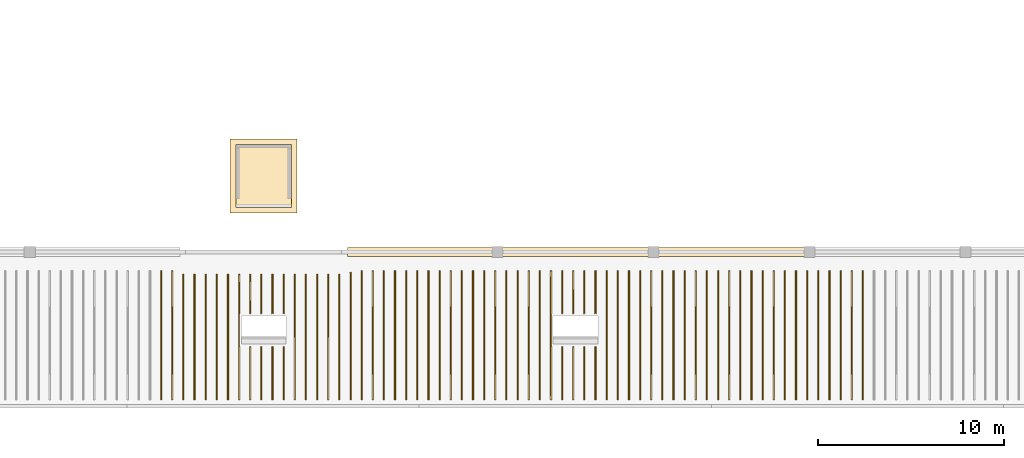
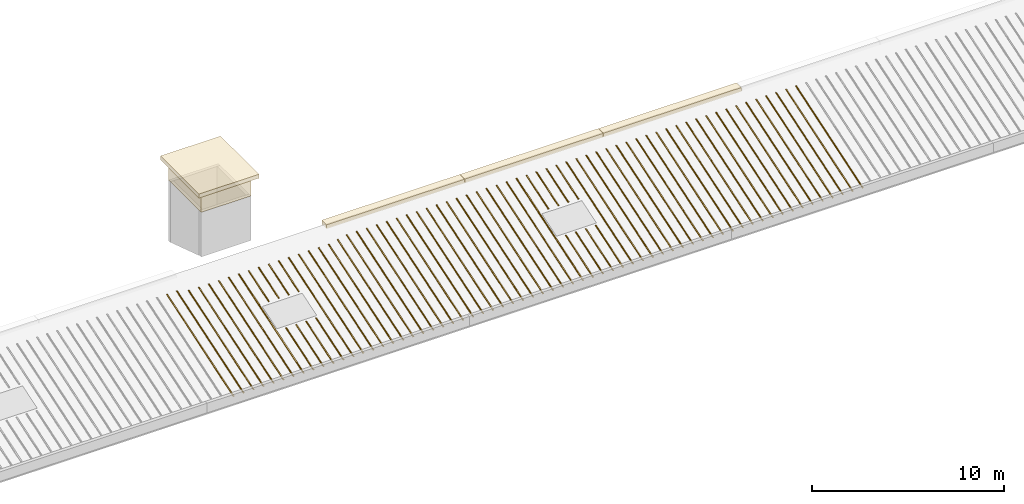
# One storey, part 73 of 91: 77 coverings.
"""IFC4 building model written with IfcOpenShell, lengths in metres."""

from ifc_helpers import new_model, si_unit, direction, frame, origin, origin_2d, place, context, subcontext, project, spatial, polyline, rectangle, outline, extrude, material, layer, layer_set, type_object, element, save


model = new_model("IFC4")

# Units and contexts
model_context = context("Model", 3, precision=1e-05, world=origin(), true_north=direction((0.0, 1.0)))
body_context = subcontext(model_context, "Body", "Model", "MODEL_VIEW")
ifc_project = project(units=[si_unit("LENGTHUNIT", "METRE"), si_unit("AREAUNIT", "SQUARE_METRE"), si_unit("VOLUMEUNIT", "CUBIC_METRE"), si_unit("PLANEANGLEUNIT", "RADIAN"), si_unit("MASSUNIT", "GRAM", prefix="KILO")], contexts=[model_context])

# Site, building, storey
site_placement = place(None, origin())
site = spatial("IfcSite", under=ifc_project, at=site_placement, CompositionType="ELEMENT")
building_placement = place(site_placement, origin())
building = spatial("IfcBuilding", under=site, at=building_placement, Name="Almond Square Museum", CompositionType="ELEMENT")
storey_placement = place(building_placement, frame((0.0, 0.0, 30.0)))
storey = spatial("IfcBuildingStorey", under=building, at=storey_placement, Name="L05", CompositionType="ELEMENT", Elevation=30.0)

# Coverings
ifc_material_1 = material(Name="Steel S355 deck with zinc standing seam", Category="steel")
ifc_layer_1 = layer(ifc_material_1, 0.25)
ifc_layer_set_1 = layer_set([ifc_layer_1], Name="Steel S355 deck with zinc standing seam")
covering_type_1 = type_object("IfcCoveringType", Name="Head house cap, steel and zinc", PredefinedType="CLADDING", material=ifc_layer_set_1)
covering_1_placement = place(storey_placement, frame((60.60009765625, 12.5, 5.35009765625), z_axis=(0.0, 0.0, 1.0), x_axis=(1.0, 0.0, 0.0)))
element("IfcCovering", 1, at=covering_1_placement, inside=storey, type_object=covering_type_1, Name="Head house roof cap S2", PredefinedType="CLADDING", context=body_context, shape_type="SweptSolid", body=[
    extrude(rectangle(XDim=3.60009765625, YDim=4.0, at=origin_2d()), origin(), (0.0, 0.0, 1.0), 0.25),
])
ifc_material_2 = material(Name="Zinc standing seam cladding")
ifc_layer_2 = layer(ifc_material_2, 1.199951171875)
ifc_layer_set_2 = layer_set([ifc_layer_2], Name="Zinc standing seam cladding")
covering_type_2 = type_object("IfcCoveringType", Name="Lift overrun cladding 1200", PredefinedType="CLADDING", material=ifc_layer_set_2)
covering_2_placement = place(storey_placement, frame((60.60009765625, 12.5, 4.14990234375), z_axis=(0.0, 0.0, 1.0), x_axis=(1.0, 0.0, 0.0)))
element("IfcCovering", 2, at=covering_2_placement, inside=storey, type_object=covering_type_2, Name="Lift overrun cladding S2", PredefinedType="CLADDING", context=body_context, shape_type="SweptSolid", body=[
    extrude(rectangle(XDim=3.0, YDim=3.39990234375, at=origin_2d()), origin(), (0.0, 0.0, 1.0), 1.199951171875),
])
ifc_material_3 = material(Name="Zinc standing seam cladding")
ifc_layer_3 = layer(ifc_material_3, 0.25)
ifc_layer_set_3 = layer_set([ifc_layer_3], Name="Zinc standing seam cladding")
covering_type_3 = type_object("IfcCoveringType", Name="Ridge cap, standing seam zinc", PredefinedType="CLADDING", material=ifc_layer_set_3)
for number, where, z_axis, x_axis, name in (
    (3, (69.257080078125, 8.39990234375, 2.609375), (0.0, 0.0, 1.0), (1.0, 0.0, 0.0), "Ridge cap 6"),
    (4, (77.571533203125, 8.39990234375, 2.609375), (0.0, 0.0, 1.0), (1.0, 0.0, 0.0), "Ridge cap 7"),
    (5, (85.8857421875, 8.39990234375, 2.609375), (0.0, 0.0, 1.0), (1.0, 0.0, 0.0), "Ridge cap 8"),
):
    element("IfcCovering", number, at=place(storey_placement, frame(where, z_axis=z_axis, x_axis=x_axis)), inside=storey, type_object=covering_type_3, Name=name, PredefinedType="CLADDING", context=body_context, shape_type="SweptSolid", body=[
        extrude(rectangle(XDim=8.294189453125, YDim=0.5, at=origin_2d()), origin(), (0.0, 0.0, 1.0), 0.25),
    ])
ifc_material_4 = material(Name="Zinc standing seam")
ifc_layer_4 = layer(ifc_material_4, 0.0400390625)
ifc_layer_set_4 = layer_set([ifc_layer_4], Name="Zinc standing seam")
covering_type_4 = type_object("IfcCoveringType", Name="Roof standing seam rib 60 x 40", PredefinedType="CLADDING", material=ifc_layer_set_4)
covering_3_placement = place(storey_placement, frame((55.050048828125, 0.449951171875, 0.146240234375), z_axis=(0.0, -0.30900221749, 0.951061317469), x_axis=(1.0, 0.0, 0.0)))
element("IfcCovering", 6, at=covering_3_placement, inside=storey, type_object=covering_type_4, Name="Roof standing seam rib", PredefinedType="CLADDING", context=body_context, shape_type="SweptSolid", body=[
    extrude(outline(polyline([(0.0, 0.0), (0.06005859375, 0.0), (0.06005859375, 7.307574227041238), (0.0, 7.307574227041238), (0.0, 0.0)])), origin(), (0.0, 0.0, 1.0), 0.0400390625),
])
covering_4_placement = place(storey_placement, frame((55.64990234375, 7.39990234375, 2.404296875), z_axis=(0.0, -0.30900221749, 0.951061317469), x_axis=(0.0, -0.951061317469, -0.30900221749)))
element("IfcCovering", 7, at=covering_4_placement, inside=storey, type_object=covering_type_4, Name="Roof standing seam rib", PredefinedType="CLADDING", context=body_context, shape_type="SweptSolid", body=[
    extrude(outline(polyline([(0.0, 0.0), (7.307574227041238, 0.0), (7.307574227041238, 0.06005859375), (0.0, 0.06005859375), (0.0, 0.0)])), origin(), (0.0, 0.0, 1.0), 0.0400390625),
])
covering_5_placement = place(storey_placement, frame((56.31005859375, 0.449951171875, 0.146240234375), z_axis=(0.001067121117, -0.30901830177, 0.95105549282), x_axis=(9.63e-09, 0.95105603433, 0.309018477707)))
element("IfcCovering", 8, at=covering_5_placement, inside=storey, type_object=covering_type_4, Name="Roof standing seam rib", PredefinedType="CLADDING", context=body_context, shape_type="SweptSolid", body=[
    extrude(outline(polyline([(0.0, 0.0), (7.101973472139664, 0.0), (7.108689444020276, 0.06005869640210079), (-5.783606011721131e-10, 0.060058559554204194), (0.0, 0.0)])), origin(), (0.0, 0.0, 1.0), 0.0400390625),
])
covering_6_placement = place(storey_placement, frame((56.85009765625, 7.199951171875, 2.33935546875), z_axis=(0.0, -0.309005178422, 0.95106035545), x_axis=(0.0, -0.95106035545, -0.309005178422)))
element("IfcCovering", 9, at=covering_6_placement, inside=storey, type_object=covering_type_4, Name="Roof standing seam rib", PredefinedType="CLADDING", context=body_context, shape_type="SweptSolid", body=[
    extrude(outline(polyline([(0.0, 0.0), (7.0973413635845155, 0.0), (7.0973413635845155, 0.059814453125), (0.0, 0.059814453125), (0.0, 0.0)])), origin(), (0.0, 0.0, 1.0), 0.0400390625),
])
for number, where, z_axis, x_axis, name in (
    (10, (57.449951171875, 7.199951171875, 2.33935546875), (0.0, -0.309005178422, 0.95106035545), (0.0, -0.95106035545, -0.309005178422), "Roof standing seam rib"),
    (11, (58.050048828125, 7.199951171875, 2.33935546875), (0.0, -0.309005178422, 0.95106035545), (0.0, -0.95106035545, -0.309005178422), "Roof standing seam rib"),
    (12, (58.64990234375, 7.199951171875, 2.33935546875), (0.0, -0.309005178422, 0.95106035545), (0.0, -0.95106035545, -0.309005178422), "Roof standing seam rib"),
):
    element("IfcCovering", number, at=place(storey_placement, frame(where, z_axis=z_axis, x_axis=x_axis)), inside=storey, type_object=covering_type_4, Name=name, PredefinedType="CLADDING", context=body_context, shape_type="SweptSolid", body=[
        extrude(outline(polyline([(0.0, 0.0), (7.0973413635845155, 0.0), (7.0973413635845155, 0.06005859375), (0.0, 0.06005859375), (0.0, 0.0)])), origin(), (0.0, 0.0, 1.0), 0.0400390625),
    ])
covering_7_placement = place(storey_placement, frame((59.300048828125, 3.300048828125, 1.072265625), z_axis=(0.000498861945, -0.309008025181, 0.951059299682), x_axis=(3.4051e-08, 0.951059418029, 0.309008063615)))
element("IfcCovering", 13, at=covering_7_placement, inside=storey, type_object=covering_type_4, Name="Roof standing seam rib", PredefinedType="CLADDING", context=body_context, shape_type="SweptSolid", body=[
    extrude(outline(polyline([(0.0, 0.0), (1.8926355960651424, 0.0), (1.8926355964059849, -0.01000976437946856), (4.100579832799527, -0.01000963649497702), (4.100579830754472, 0.05004894978183434), (-2.9967615327973802, 0.05004871885135018), (-2.996761530752326, -0.010009867425461191), (3.408423921964184e-10, -0.01000976437946856), (0.0, 0.0)])), origin(), (0.0, 0.0, 1.0), 0.0400390625),
])
covering_8_placement = place(storey_placement, frame((59.85009765625, 3.300048828125, 1.072265625), z_axis=(0.0, -0.309008701899, 0.951059210644), x_axis=(0.0, -0.951059210644, -0.309008701899)))
element("IfcCovering", 14, at=covering_8_placement, inside=storey, type_object=covering_type_4, Name="Roof standing seam rib", PredefinedType="CLADDING", context=body_context, shape_type="SweptSolid", body=[
    extrude(outline(polyline([(0.0, 0.0), (2.996761531093845, 0.0), (2.996761531093845, 0.059814453125), (0.0, 0.059814453125), (0.0, 0.0)])), origin(), (0.0, 0.0, 1.0), 0.0400390625),
])
covering_9_placement = place(storey_placement, frame((59.909912109375, 7.199951171875, 2.33935546875), z_axis=(0.0, -0.309053568857, 0.951044631748), x_axis=(-1.0, 0.0, 0.0)))
element("IfcCovering", 15, at=covering_9_placement, inside=storey, type_object=covering_type_4, Name="Roof standing seam rib", PredefinedType="CLADDING", context=body_context, shape_type="SweptSolid", body=[
    extrude(outline(polyline([(0.0, 0.0), (0.059814453125, 0.0), (0.059814453125, 2.207944238920934), (0.0, 2.207944238920934), (0.0, 0.0)])), origin(), (0.0, 0.0, 1.0), 0.0400390625),
])
covering_10_placement = place(storey_placement, frame((60.449951171875, 3.300048828125, 1.072265625), z_axis=(0.0, -0.309008701899, 0.951059210644), x_axis=(0.0, -0.951059210644, -0.309008701899)))
element("IfcCovering", 16, at=covering_10_placement, inside=storey, type_object=covering_type_4, Name="Roof standing seam rib", PredefinedType="CLADDING", context=body_context, shape_type="SweptSolid", body=[
    extrude(outline(polyline([(0.0, 0.0), (2.996761531093845, 0.0), (2.996761531093845, 0.06005859374999999), (0.0, 0.06005859374999999), (0.0, 0.0)])), origin(), (0.0, 0.0, 1.0), 0.0400390625),
])
covering_11_placement = place(storey_placement, frame((60.510009765625, 7.199951171875, 2.33935546875), z_axis=(0.0, -0.309053568857, 0.951044631748), x_axis=(-1.0, 0.0, 0.0)))
element("IfcCovering", 17, at=covering_11_placement, inside=storey, type_object=covering_type_4, Name="Roof standing seam rib", PredefinedType="CLADDING", context=body_context, shape_type="SweptSolid", body=[
    extrude(outline(polyline([(0.0, 0.0), (0.06005859375, 0.0), (0.06005859375, 2.207944238920934), (0.0, 2.207944238920934), (0.0, 0.0)])), origin(), (0.0, 0.0, 1.0), 0.0400390625),
])
covering_12_placement = place(storey_placement, frame((61.050048828125, 3.300048828125, 1.072265625), z_axis=(0.0, -0.309008701899, 0.951059210644), x_axis=(0.0, -0.951059210644, -0.309008701899)))
element("IfcCovering", 18, at=covering_12_placement, inside=storey, type_object=covering_type_4, Name="Roof standing seam rib", PredefinedType="CLADDING", context=body_context, shape_type="SweptSolid", body=[
    extrude(outline(polyline([(0.0, 0.0), (2.996761531093845, 0.0), (2.996761531093845, 0.06005859374999999), (0.0, 0.06005859374999999), (0.0, 0.0)])), origin(), (0.0, 0.0, 1.0), 0.0400390625),
])
covering_13_placement = place(storey_placement, frame((61.110107421875, 7.199951171875, 2.33935546875), z_axis=(0.0, -0.309053568857, 0.951044631748), x_axis=(-1.0, 0.0, 0.0)))
element("IfcCovering", 19, at=covering_13_placement, inside=storey, type_object=covering_type_4, Name="Roof standing seam rib", PredefinedType="CLADDING", context=body_context, shape_type="SweptSolid", body=[
    extrude(outline(polyline([(0.0, 0.0), (0.06005859375, 0.0), (0.06005859375, 2.207944238920934), (0.0, 2.207944238920934), (0.0, 0.0)])), origin(), (0.0, 0.0, 1.0), 0.0400390625),
])
covering_14_placement = place(storey_placement, frame((61.64990234375, 3.300048828125, 1.072265625), z_axis=(0.0, -0.309008701899, 0.951059210644), x_axis=(0.0, -0.951059210644, -0.309008701899)))
element("IfcCovering", 20, at=covering_14_placement, inside=storey, type_object=covering_type_4, Name="Roof standing seam rib", PredefinedType="CLADDING", context=body_context, shape_type="SweptSolid", body=[
    extrude(outline(polyline([(0.0, 0.0), (2.996761531093845, 0.0), (2.996761531093845, 0.06005859374999999), (0.0, 0.06005859374999999), (0.0, 0.0)])), origin(), (0.0, 0.0, 1.0), 0.0400390625),
])
covering_15_placement = place(storey_placement, frame((61.7099609375, 7.199951171875, 2.33935546875), z_axis=(0.0, -0.309053568857, 0.951044631748), x_axis=(-1.0, 0.0, 0.0)))
element("IfcCovering", 21, at=covering_15_placement, inside=storey, type_object=covering_type_4, Name="Roof standing seam rib", PredefinedType="CLADDING", context=body_context, shape_type="SweptSolid", body=[
    extrude(outline(polyline([(0.0, 0.0), (0.06005859375, 0.0), (0.06005859375, 2.207944238920934), (0.0, 2.207944238920934), (0.0, 0.0)])), origin(), (0.0, 0.0, 1.0), 0.0400390625),
])
covering_16_placement = place(storey_placement, frame((62.25, 7.199951171875, 2.33935546875), z_axis=(0.0, -0.309005178422, 0.95106035545), x_axis=(0.0, -0.95106035545, -0.309005178422)))
element("IfcCovering", 22, at=covering_16_placement, inside=storey, type_object=covering_type_4, Name="Roof standing seam rib", PredefinedType="CLADDING", context=body_context, shape_type="SweptSolid", body=[
    extrude(outline(polyline([(0.0, 0.0), (7.0973413635845155, 0.0), (7.0973413635845155, 0.06005859375), (0.0, 0.06005859375), (0.0, 0.0)])), origin(), (0.0, 0.0, 1.0), 0.0400390625),
])
covering_17_placement = place(storey_placement, frame((62.85009765625, 7.199951171875, 2.33935546875), z_axis=(0.0, -0.309005178422, 0.95106035545), x_axis=(0.0, -0.95106035545, -0.309005178422)))
element("IfcCovering", 23, at=covering_17_placement, inside=storey, type_object=covering_type_4, Name="Roof standing seam rib", PredefinedType="CLADDING", context=body_context, shape_type="SweptSolid", body=[
    extrude(outline(polyline([(0.0, 0.0), (7.0973413635845155, 0.0), (7.0973413635845155, 0.059814453125), (0.0, 0.059814453125), (0.0, 0.0)])), origin(), (0.0, 0.0, 1.0), 0.0400390625),
])
for number, where, z_axis, x_axis, name in (
    (24, (63.449951171875, 7.199951171875, 2.33935546875), (0.0, -0.309005178422, 0.95106035545), (0.0, -0.95106035545, -0.309005178422), "Roof standing seam rib"),
    (25, (64.050048828125, 7.199951171875, 2.33935546875), (0.0, -0.309005178422, 0.95106035545), (0.0, -0.95106035545, -0.309005178422), "Roof standing seam rib"),
    (26, (64.64990234375, 7.199951171875, 2.33935546875), (0.0, -0.309005178422, 0.95106035545), (0.0, -0.95106035545, -0.309005178422), "Roof standing seam rib"),
):
    element("IfcCovering", number, at=place(storey_placement, frame(where, z_axis=z_axis, x_axis=x_axis)), inside=storey, type_object=covering_type_4, Name=name, PredefinedType="CLADDING", context=body_context, shape_type="SweptSolid", body=[
        extrude(outline(polyline([(0.0, 0.0), (7.0973413635845155, 0.0), (7.0973413635845155, 0.06005859375), (0.0, 0.06005859375), (0.0, 0.0)])), origin(), (0.0, 0.0, 1.0), 0.0400390625),
    ])
covering_18_placement = place(storey_placement, frame((65.31005859375, 0.449951171875, 0.146240234375), z_axis=(-0.001180078715, -0.309005398964, 0.951059551671), x_axis=(1.1586e-08, 0.951060213884, 0.309005614135)))
element("IfcCovering", 27, at=covering_18_placement, inside=storey, type_object=covering_type_4, Name="Roof standing seam rib", PredefinedType="CLADDING", context=body_context, shape_type="SweptSolid", body=[
    extrude(outline(polyline([(0.0, 0.0), (7.218786272212657, -8.673617379884035e-19), (7.189989408314181, 0.060058718871576586), (-6.958379147892488e-10, 0.0600585519316138), (0.0, 0.0)])), origin(), (0.0, 0.0, 1.0), 0.0400390625),
])
covering_19_placement = place(storey_placement, frame((65.909912109375, 7.39990234375, 2.404296875), z_axis=(0.0, -0.30900221749, 0.951061317469), x_axis=(-1.0, 0.0, 0.0)))
element("IfcCovering", 28, at=covering_19_placement, inside=storey, type_object=covering_type_4, Name="Roof standing seam rib", PredefinedType="CLADDING", context=body_context, shape_type="SweptSolid", body=[
    extrude(outline(polyline([(0.0, 0.0), (0.059814453125, 0.0), (0.059814453125, 7.307574227041239), (0.0, 7.307574227041239), (0.0, 0.0)])), origin(), (0.0, 0.0, 1.0), 0.0400390625),
])
for number, where, z_axis, x_axis, name in (
    (29, (66.449951171875, 0.449951171875, 0.146240234375), (0.0, -0.30900221749, 0.951061317469), (1.0, 0.0, 0.0), "Roof standing seam rib"),
    (30, (67.050048828125, 0.449951171875, 0.146240234375), (0.0, -0.30900221749, 0.951061317469), (1.0, 0.0, 0.0), "Roof standing seam rib"),
    (31, (67.64990234375, 0.449951171875, 0.146240234375), (0.0, -0.30900221749, 0.951061317469), (1.0, 0.0, 0.0), "Roof standing seam rib"),
    (32, (68.25, 0.449951171875, 0.146240234375), (0.0, -0.30900221749, 0.951061317469), (1.0, 0.0, 0.0), "Roof standing seam rib"),
):
    element("IfcCovering", number, at=place(storey_placement, frame(where, z_axis=z_axis, x_axis=x_axis)), inside=storey, type_object=covering_type_4, Name=name, PredefinedType="CLADDING", context=body_context, shape_type="SweptSolid", body=[
        extrude(outline(polyline([(0.0, 0.0), (0.06005859375, 0.0), (0.06005859375, 7.307574227041238), (0.0, 7.307574227041238), (0.0, 0.0)])), origin(), (0.0, 0.0, 1.0), 0.0400390625),
    ])
covering_20_placement = place(storey_placement, frame((68.85009765625, 0.449951171875, 0.146240234375), z_axis=(0.0, -0.30900221749, 0.951061317469), x_axis=(1.0, 0.0, 0.0)))
element("IfcCovering", 33, at=covering_20_placement, inside=storey, type_object=covering_type_4, Name="Roof standing seam rib", PredefinedType="CLADDING", context=body_context, shape_type="SweptSolid", body=[
    extrude(outline(polyline([(0.0, 0.0), (0.059814453125, 0.0), (0.059814453125, 7.307574227041239), (0.0, 7.307574227041239), (0.0, 0.0)])), origin(), (0.0, 0.0, 1.0), 0.0400390625),
])
for number, where, z_axis, x_axis, name in (
    (34, (69.449951171875, 0.449951171875, 0.146240234375), (0.0, -0.30900221749, 0.951061317469), (1.0, 0.0, 0.0), "Roof standing seam rib"),
    (35, (70.050048828125, 0.449951171875, 0.146240234375), (0.0, -0.30900221749, 0.951061317469), (1.0, 0.0, 0.0), "Roof standing seam rib"),
    (36, (70.64990234375, 0.449951171875, 0.146240234375), (0.0, -0.30900221749, 0.951061317469), (1.0, 0.0, 0.0), "Roof standing seam rib"),
    (37, (71.25, 0.449951171875, 0.146240234375), (0.0, -0.30900221749, 0.951061317469), (1.0, 0.0, 0.0), "Roof standing seam rib"),
):
    element("IfcCovering", number, at=place(storey_placement, frame(where, z_axis=z_axis, x_axis=x_axis)), inside=storey, type_object=covering_type_4, Name=name, PredefinedType="CLADDING", context=body_context, shape_type="SweptSolid", body=[
        extrude(outline(polyline([(0.0, 0.0), (0.06005859375, 0.0), (0.06005859375, 7.307574227041238), (0.0, 7.307574227041238), (0.0, 0.0)])), origin(), (0.0, 0.0, 1.0), 0.0400390625),
    ])
covering_21_placement = place(storey_placement, frame((71.85009765625, 0.449951171875, 0.146240234375), z_axis=(0.0, -0.30900221749, 0.951061317469), x_axis=(1.0, 0.0, 0.0)))
element("IfcCovering", 38, at=covering_21_placement, inside=storey, type_object=covering_type_4, Name="Roof standing seam rib", PredefinedType="CLADDING", context=body_context, shape_type="SweptSolid", body=[
    extrude(outline(polyline([(0.0, 0.0), (0.059814453125, 0.0), (0.059814453125, 7.307574227041239), (0.0, 7.307574227041239), (0.0, 0.0)])), origin(), (0.0, 0.0, 1.0), 0.0400390625),
])
for number, where, z_axis, x_axis, name in (
    (39, (72.449951171875, 0.449951171875, 0.146240234375), (0.0, -0.30900221749, 0.951061317469), (1.0, 0.0, 0.0), "Roof standing seam rib"),
    (40, (73.050048828125, 0.449951171875, 0.146240234375), (0.0, -0.30900221749, 0.951061317469), (1.0, 0.0, 0.0), "Roof standing seam rib"),
    (41, (73.64990234375, 0.449951171875, 0.146240234375), (0.0, -0.30900221749, 0.951061317469), (1.0, 0.0, 0.0), "Roof standing seam rib"),
    (42, (74.25, 0.449951171875, 0.146240234375), (0.0, -0.30900221749, 0.951061317469), (1.0, 0.0, 0.0), "Roof standing seam rib"),
):
    element("IfcCovering", number, at=place(storey_placement, frame(where, z_axis=z_axis, x_axis=x_axis)), inside=storey, type_object=covering_type_4, Name=name, PredefinedType="CLADDING", context=body_context, shape_type="SweptSolid", body=[
        extrude(outline(polyline([(0.0, 0.0), (0.06005859375, 0.0), (0.06005859375, 7.307574227041238), (0.0, 7.307574227041238), (0.0, 0.0)])), origin(), (0.0, 0.0, 1.0), 0.0400390625),
    ])
covering_22_placement = place(storey_placement, frame((74.85009765625, 0.449951171875, 0.146240234375), z_axis=(0.0, -0.30900221749, 0.951061317469), x_axis=(1.0, 0.0, 0.0)))
element("IfcCovering", 43, at=covering_22_placement, inside=storey, type_object=covering_type_4, Name="Roof standing seam rib", PredefinedType="CLADDING", context=body_context, shape_type="SweptSolid", body=[
    extrude(outline(polyline([(0.0, 0.0), (0.059814453125, 0.0), (0.059814453125, 7.307574227041239), (0.0, 7.307574227041239), (0.0, 0.0)])), origin(), (0.0, 0.0, 1.0), 0.0400390625),
])
covering_23_placement = place(storey_placement, frame((75.449951171875, 0.449951171875, 0.146240234375), z_axis=(0.0, -0.30900221749, 0.951061317469), x_axis=(1.0, 0.0, 0.0)))
element("IfcCovering", 44, at=covering_23_placement, inside=storey, type_object=covering_type_4, Name="Roof standing seam rib", PredefinedType="CLADDING", context=body_context, shape_type="SweptSolid", body=[
    extrude(outline(polyline([(0.0, 0.0), (0.06005859375, 0.0), (0.06005859375, 7.307574227041238), (0.0, 7.307574227041238), (0.0, 0.0)])), origin(), (0.0, 0.0, 1.0), 0.0400390625),
])
covering_24_placement = place(storey_placement, frame((76.10009765625, 5.10009765625, 1.656982421875), z_axis=(0.000379539092, -0.309004860118, 0.951060383137), x_axis=(0.999999927975, 0.000117279432, -0.00036096462)))
element("IfcCovering", 45, at=covering_24_placement, inside=storey, type_object=covering_type_4, Name="Roof standing seam rib", PredefinedType="CLADDING", context=body_context, shape_type="SweptSolid", body=[
    extrude(outline(polyline([(0.0, 0.0), (0.010009764904046994, 0.0), (0.010009730614830565, 2.4181770994561975), (-0.050048858809451396, 2.4181770994561975), (-0.05004886658086134, -4.889397127556355), (0.010009722843420617, -4.889397127556355), (0.010009718275587305, -1.892635596486676), (-4.662845968830798e-08, -1.892635596486676), (0.0, 0.0)])), origin(), (0.0, 0.0, 1.0), 0.0400390625),
])
covering_25_placement = place(storey_placement, frame((76.64990234375, 0.449951171875, 0.146240234375), z_axis=(0.0, -0.309008701899, 0.951059210644), x_axis=(1.0, 0.0, 0.0)))
element("IfcCovering", 46, at=covering_25_placement, inside=storey, type_object=covering_type_4, Name="Roof standing seam rib", PredefinedType="CLADDING", context=body_context, shape_type="SweptSolid", body=[
    extrude(outline(polyline([(0.0, 0.0), (0.06005859375, 0.0), (0.06005859375, 2.9967615310938447), (0.0, 2.9967615310938447), (0.0, 0.0)])), origin(), (0.0, 0.0, 1.0), 0.0400390625),
])
covering_26_placement = place(storey_placement, frame((76.7099609375, 7.39990234375, 2.404296875), z_axis=(0.0, -0.309040414274, 0.95104890639), x_axis=(-1.0, 0.0, 0.0)))
element("IfcCovering", 47, at=covering_26_placement, inside=storey, type_object=covering_type_4, Name="Roof standing seam rib", PredefinedType="CLADDING", context=body_context, shape_type="SweptSolid", body=[
    extrude(outline(polyline([(0.0, 0.0), (0.06005859375, 0.0), (0.06005859375, 2.4181771011438533), (0.0, 2.4181771011438533), (0.0, 0.0)])), origin(), (0.0, 0.0, 1.0), 0.0400390625),
])
covering_27_placement = place(storey_placement, frame((77.25, 0.449951171875, 0.146240234375), z_axis=(0.0, -0.309008701899, 0.951059210644), x_axis=(1.0, 0.0, 0.0)))
element("IfcCovering", 48, at=covering_27_placement, inside=storey, type_object=covering_type_4, Name="Roof standing seam rib", PredefinedType="CLADDING", context=body_context, shape_type="SweptSolid", body=[
    extrude(outline(polyline([(0.0, 0.0), (0.06005859375, 0.0), (0.06005859375, 2.9967615310938447), (0.0, 2.9967615310938447), (0.0, 0.0)])), origin(), (0.0, 0.0, 1.0), 0.0400390625),
])
covering_28_placement = place(storey_placement, frame((77.31005859375, 7.39990234375, 2.404296875), z_axis=(0.0, -0.309040414274, 0.95104890639), x_axis=(-1.0, 0.0, 0.0)))
element("IfcCovering", 49, at=covering_28_placement, inside=storey, type_object=covering_type_4, Name="Roof standing seam rib", PredefinedType="CLADDING", context=body_context, shape_type="SweptSolid", body=[
    extrude(outline(polyline([(0.0, 0.0), (0.06005859375, 0.0), (0.06005859375, 2.4181771011438533), (0.0, 2.4181771011438533), (0.0, 0.0)])), origin(), (0.0, 0.0, 1.0), 0.0400390625),
])
covering_29_placement = place(storey_placement, frame((77.85009765625, 0.449951171875, 0.146240234375), z_axis=(0.0, -0.309008701899, 0.951059210644), x_axis=(1.0, 0.0, 0.0)))
element("IfcCovering", 50, at=covering_29_placement, inside=storey, type_object=covering_type_4, Name="Roof standing seam rib", PredefinedType="CLADDING", context=body_context, shape_type="SweptSolid", body=[
    extrude(outline(polyline([(0.0, 0.0), (0.059814453125, 0.0), (0.059814453125, 2.996761531093845), (0.0, 2.996761531093845), (0.0, 0.0)])), origin(), (0.0, 0.0, 1.0), 0.0400390625),
])
covering_30_placement = place(storey_placement, frame((77.909912109375, 7.39990234375, 2.404296875), z_axis=(0.0, -0.309040414274, 0.95104890639), x_axis=(-1.0, 0.0, 0.0)))
element("IfcCovering", 51, at=covering_30_placement, inside=storey, type_object=covering_type_4, Name="Roof standing seam rib", PredefinedType="CLADDING", context=body_context, shape_type="SweptSolid", body=[
    extrude(outline(polyline([(0.0, 0.0), (0.059814453125, 0.0), (0.059814453125, 2.418177101143853), (0.0, 2.418177101143853), (0.0, 0.0)])), origin(), (0.0, 0.0, 1.0), 0.0400390625),
])
covering_31_placement = place(storey_placement, frame((78.449951171875, 0.449951171875, 0.146240234375), z_axis=(0.0, -0.309008701899, 0.951059210644), x_axis=(1.0, 0.0, 0.0)))
element("IfcCovering", 52, at=covering_31_placement, inside=storey, type_object=covering_type_4, Name="Roof standing seam rib", PredefinedType="CLADDING", context=body_context, shape_type="SweptSolid", body=[
    extrude(outline(polyline([(0.0, 0.0), (0.06005859375, 0.0), (0.06005859375, 2.9967615310938447), (0.0, 2.9967615310938447), (0.0, 0.0)])), origin(), (0.0, 0.0, 1.0), 0.0400390625),
])
covering_32_placement = place(storey_placement, frame((78.510009765625, 7.39990234375, 2.404296875), z_axis=(0.0, -0.309040414274, 0.95104890639), x_axis=(-1.0, 0.0, 0.0)))
element("IfcCovering", 53, at=covering_32_placement, inside=storey, type_object=covering_type_4, Name="Roof standing seam rib", PredefinedType="CLADDING", context=body_context, shape_type="SweptSolid", body=[
    extrude(outline(polyline([(0.0, 0.0), (0.06005859375, 0.0), (0.06005859375, 2.4181771011438533), (0.0, 2.4181771011438533), (0.0, 0.0)])), origin(), (0.0, 0.0, 1.0), 0.0400390625),
])
for number, where, z_axis, x_axis, name in (
    (54, (79.050048828125, 0.449951171875, 0.146240234375), (0.0, -0.30900221749, 0.951061317469), (1.0, 0.0, 0.0), "Roof standing seam rib"),
    (55, (79.64990234375, 0.449951171875, 0.146240234375), (0.0, -0.30900221749, 0.951061317469), (1.0, 0.0, 0.0), "Roof standing seam rib"),
    (56, (80.25, 0.449951171875, 0.146240234375), (0.0, -0.30900221749, 0.951061317469), (1.0, 0.0, 0.0), "Roof standing seam rib"),
):
    element("IfcCovering", number, at=place(storey_placement, frame(where, z_axis=z_axis, x_axis=x_axis)), inside=storey, type_object=covering_type_4, Name=name, PredefinedType="CLADDING", context=body_context, shape_type="SweptSolid", body=[
        extrude(outline(polyline([(0.0, 0.0), (0.06005859375, 0.0), (0.06005859375, 7.307574227041238), (0.0, 7.307574227041238), (0.0, 0.0)])), origin(), (0.0, 0.0, 1.0), 0.0400390625),
    ])
covering_33_placement = place(storey_placement, frame((80.85009765625, 0.449951171875, 0.146240234375), z_axis=(0.0, -0.30900221749, 0.951061317469), x_axis=(1.0, 0.0, 0.0)))
element("IfcCovering", 57, at=covering_33_placement, inside=storey, type_object=covering_type_4, Name="Roof standing seam rib", PredefinedType="CLADDING", context=body_context, shape_type="SweptSolid", body=[
    extrude(outline(polyline([(0.0, 0.0), (0.059814453125, 0.0), (0.059814453125, 7.307574227041239), (0.0, 7.307574227041239), (0.0, 0.0)])), origin(), (0.0, 0.0, 1.0), 0.0400390625),
])
for number, where, z_axis, x_axis, name in (
    (58, (81.449951171875, 0.449951171875, 0.146240234375), (0.0, -0.30900221749, 0.951061317469), (1.0, 0.0, 0.0), "Roof standing seam rib"),
    (59, (82.050048828125, 0.449951171875, 0.146240234375), (0.0, -0.30900221749, 0.951061317469), (1.0, 0.0, 0.0), "Roof standing seam rib"),
    (60, (82.64990234375, 0.449951171875, 0.146240234375), (0.0, -0.30900221749, 0.951061317469), (1.0, 0.0, 0.0), "Roof standing seam rib"),
    (61, (83.25, 0.449951171875, 0.146240234375), (0.0, -0.30900221749, 0.951061317469), (1.0, 0.0, 0.0), "Roof standing seam rib"),
):
    element("IfcCovering", number, at=place(storey_placement, frame(where, z_axis=z_axis, x_axis=x_axis)), inside=storey, type_object=covering_type_4, Name=name, PredefinedType="CLADDING", context=body_context, shape_type="SweptSolid", body=[
        extrude(outline(polyline([(0.0, 0.0), (0.06005859375, 0.0), (0.06005859375, 7.307574227041238), (0.0, 7.307574227041238), (0.0, 0.0)])), origin(), (0.0, 0.0, 1.0), 0.0400390625),
    ])
covering_34_placement = place(storey_placement, frame((83.85009765625, 0.449951171875, 0.146240234375), z_axis=(0.0, -0.30900221749, 0.951061317469), x_axis=(1.0, 0.0, 0.0)))
element("IfcCovering", 62, at=covering_34_placement, inside=storey, type_object=covering_type_4, Name="Roof standing seam rib", PredefinedType="CLADDING", context=body_context, shape_type="SweptSolid", body=[
    extrude(outline(polyline([(0.0, 0.0), (0.059814453125, 0.0), (0.059814453125, 7.307574227041239), (0.0, 7.307574227041239), (0.0, 0.0)])), origin(), (0.0, 0.0, 1.0), 0.0400390625),
])
for number, where, z_axis, x_axis, name in (
    (63, (84.449951171875, 0.449951171875, 0.146240234375), (0.0, -0.30900221749, 0.951061317469), (1.0, 0.0, 0.0), "Roof standing seam rib"),
    (64, (85.050048828125, 0.449951171875, 0.146240234375), (0.0, -0.30900221749, 0.951061317469), (1.0, 0.0, 0.0), "Roof standing seam rib"),
    (65, (85.64990234375, 0.449951171875, 0.146240234375), (0.0, -0.30900221749, 0.951061317469), (1.0, 0.0, 0.0), "Roof standing seam rib"),
    (66, (86.25, 0.449951171875, 0.146240234375), (0.0, -0.30900221749, 0.951061317469), (1.0, 0.0, 0.0), "Roof standing seam rib"),
):
    element("IfcCovering", number, at=place(storey_placement, frame(where, z_axis=z_axis, x_axis=x_axis)), inside=storey, type_object=covering_type_4, Name=name, PredefinedType="CLADDING", context=body_context, shape_type="SweptSolid", body=[
        extrude(outline(polyline([(0.0, 0.0), (0.06005859375, 0.0), (0.06005859375, 7.307574227041238), (0.0, 7.307574227041238), (0.0, 0.0)])), origin(), (0.0, 0.0, 1.0), 0.0400390625),
    ])
covering_35_placement = place(storey_placement, frame((86.85009765625, 0.449951171875, 0.146240234375), z_axis=(0.0, -0.30900221749, 0.951061317469), x_axis=(1.0, 0.0, 0.0)))
element("IfcCovering", 67, at=covering_35_placement, inside=storey, type_object=covering_type_4, Name="Roof standing seam rib", PredefinedType="CLADDING", context=body_context, shape_type="SweptSolid", body=[
    extrude(outline(polyline([(0.0, 0.0), (0.059814453125, 0.0), (0.059814453125, 7.307574227041239), (0.0, 7.307574227041239), (0.0, 0.0)])), origin(), (0.0, 0.0, 1.0), 0.0400390625),
])
for number, where, z_axis, x_axis, name in (
    (68, (87.449951171875, 0.449951171875, 0.146240234375), (0.0, -0.30900221749, 0.951061317469), (1.0, 0.0, 0.0), "Roof standing seam rib"),
    (69, (88.050048828125, 0.449951171875, 0.146240234375), (0.0, -0.30900221749, 0.951061317469), (1.0, 0.0, 0.0), "Roof standing seam rib"),
    (70, (88.64990234375, 0.449951171875, 0.146240234375), (0.0, -0.30900221749, 0.951061317469), (1.0, 0.0, 0.0), "Roof standing seam rib"),
    (71, (89.25, 0.449951171875, 0.146240234375), (0.0, -0.30900221749, 0.951061317469), (1.0, 0.0, 0.0), "Roof standing seam rib"),
):
    element("IfcCovering", number, at=place(storey_placement, frame(where, z_axis=z_axis, x_axis=x_axis)), inside=storey, type_object=covering_type_4, Name=name, PredefinedType="CLADDING", context=body_context, shape_type="SweptSolid", body=[
        extrude(outline(polyline([(0.0, 0.0), (0.06005859375, 0.0), (0.06005859375, 7.307574227041238), (0.0, 7.307574227041238), (0.0, 0.0)])), origin(), (0.0, 0.0, 1.0), 0.0400390625),
    ])
covering_36_placement = place(storey_placement, frame((89.85009765625, 0.449951171875, 0.146240234375), z_axis=(0.0, -0.30900221749, 0.951061317469), x_axis=(1.0, 0.0, 0.0)))
element("IfcCovering", 72, at=covering_36_placement, inside=storey, type_object=covering_type_4, Name="Roof standing seam rib", PredefinedType="CLADDING", context=body_context, shape_type="SweptSolid", body=[
    extrude(outline(polyline([(0.0, 0.0), (0.059814453125, 0.0), (0.059814453125, 7.307574227041239), (0.0, 7.307574227041239), (0.0, 0.0)])), origin(), (0.0, 0.0, 1.0), 0.0400390625),
])
for number, where, z_axis, x_axis, name in (
    (73, (90.449951171875, 0.449951171875, 0.146240234375), (0.0, -0.30900221749, 0.951061317469), (1.0, 0.0, 0.0), "Roof standing seam rib"),
    (74, (91.050048828125, 0.449951171875, 0.146240234375), (0.0, -0.30900221749, 0.951061317469), (1.0, 0.0, 0.0), "Roof standing seam rib"),
    (75, (91.64990234375, 0.449951171875, 0.146240234375), (0.0, -0.30900221749, 0.951061317469), (1.0, 0.0, 0.0), "Roof standing seam rib"),
    (76, (92.25, 0.449951171875, 0.146240234375), (0.0, -0.30900221749, 0.951061317469), (1.0, 0.0, 0.0), "Roof standing seam rib"),
):
    element("IfcCovering", number, at=place(storey_placement, frame(where, z_axis=z_axis, x_axis=x_axis)), inside=storey, type_object=covering_type_4, Name=name, PredefinedType="CLADDING", context=body_context, shape_type="SweptSolid", body=[
        extrude(outline(polyline([(0.0, 0.0), (0.06005859375, 0.0), (0.06005859375, 7.307574227041238), (0.0, 7.307574227041238), (0.0, 0.0)])), origin(), (0.0, 0.0, 1.0), 0.0400390625),
    ])
covering_37_placement = place(storey_placement, frame((92.85009765625, 0.449951171875, 0.146240234375), z_axis=(0.0, -0.30900221749, 0.951061317469), x_axis=(1.0, 0.0, 0.0)))
element("IfcCovering", 77, at=covering_37_placement, inside=storey, type_object=covering_type_4, Name="Roof standing seam rib", PredefinedType="CLADDING", context=body_context, shape_type="SweptSolid", body=[
    extrude(outline(polyline([(0.0, 0.0), (0.059814453125, 0.0), (0.059814453125, 7.307574227041239), (0.0, 7.307574227041239), (0.0, 0.0)])), origin(), (0.0, 0.0, 1.0), 0.0400390625),
])

save(model, "model.ifc")
